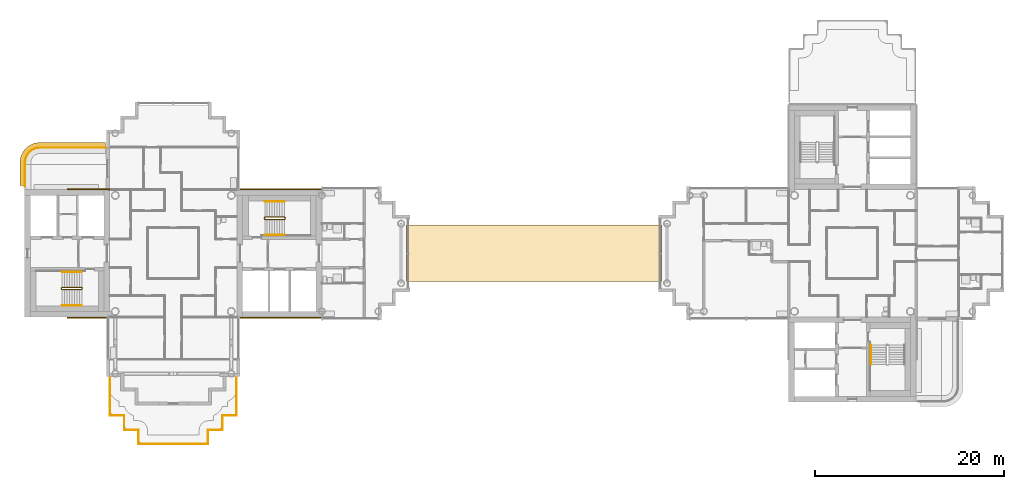
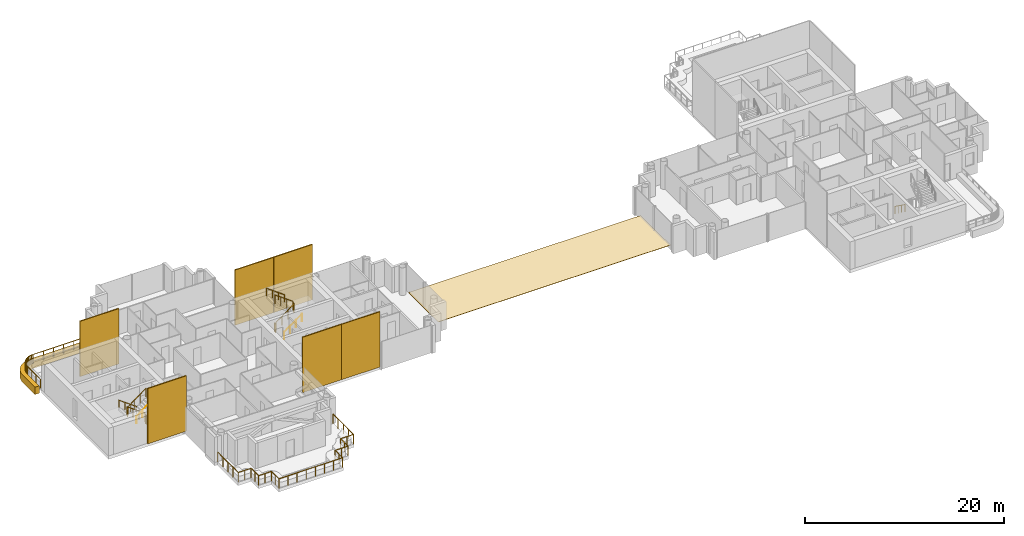
# One storey, part 17 of 19: 9 railings, 8 coverings.
"""IFC4 building model written with IfcOpenShell, lengths in metres."""

from ifc_helpers import new_model, si_unit, direction, frame, origin, origin_2d, place, context, subcontext, project, spatial, polyline, rectangle, circle, outline, extrude, material, layer, layer_set, type_object, element, save


model = new_model("IFC4")

# Units and contexts
model_context = context("Model", 3, precision=1e-05, world=origin(), true_north=direction((0.0, 1.0)))
body_context = subcontext(model_context, "Body", "Model", "MODEL_VIEW")
ifc_project = project(units=[si_unit("LENGTHUNIT", "METRE"), si_unit("AREAUNIT", "SQUARE_METRE"), si_unit("VOLUMEUNIT", "CUBIC_METRE"), si_unit("PLANEANGLEUNIT", "RADIAN"), si_unit("MASSUNIT", "GRAM", prefix="KILO")], contexts=[model_context])

# Site, building, storey
site_placement = place(None, origin())
site = spatial("IfcSite", under=ifc_project, at=site_placement, CompositionType="ELEMENT")
building_placement = place(site_placement, origin())
building = spatial("IfcBuilding", under=site, at=building_placement, Name="Ipe Terrace Towers", CompositionType="ELEMENT")
storey_placement = place(building_placement, frame((0.0, 0.0, 185.800048828125)))
storey = spatial("IfcBuildingStorey", under=building, at=storey_placement, Name="L51", CompositionType="ELEMENT", Elevation=185.800048828125)

# Railings
ifc_material_1 = material(Name="Stainless steel S316", Category="steel")
railing_type_1 = type_object("IfcRailingType", Name="GUARD 1100", PredefinedType="BALUSTRADE", material=ifc_material_1)
railing_1_placement = place(storey_placement, frame((-43.070068359375, 11.199951171875, -0.02001953125)))
element("IfcRailing", 1, at=railing_1_placement, inside=storey, type_object=railing_type_1, Name="guard", PredefinedType="BALUSTRADE", context=body_context, shape_type="SweptSolid", body=[
    extrude(circle(Radius=0.02392578125, at=origin_2d()), frame((0.0, 0.0, 1.076171875), z_axis=(-1.0, 0.0, 0.0), x_axis=(0.0, -1.0, 0.0)), (0.0, 0.0, 1.0), 7.077880859375),
    extrude(circle(Radius=0.02392578125, at=origin_2d()), frame((-7.077880859375, 0.0, 1.076171875), z_axis=(-0.997996439513, -0.063270109204, 0.0), x_axis=(0.063270109204, -0.997996439513, 0.0)), (0.0, 0.0, 1.0), 0.20458984375),
    extrude(circle(Radius=0.02392578125, at=origin_2d()), frame((-7.281982421875, -0.012939453125, 1.076171875), z_axis=(-0.980348670139, -0.197272615832, 0.0), x_axis=(0.197272615832, -0.980348670139, 0.0)), (0.0, 0.0, 1.0), 0.202880859375),
    extrude(circle(Radius=0.02392578125, at=origin_2d()), frame((-7.48095703125, -0.052978515625, 1.076171875), z_axis=(-0.947227229435, -0.320562904618, 0.0), x_axis=(0.320562904618, -0.947227229435, 0.0)), (0.0, 0.0, 1.0), 0.20263671875),
    extrude(circle(Radius=0.02392578125, at=origin_2d()), frame((-7.6728515625, -0.117919921875, 1.076171875), z_axis=(-0.896341374877, -0.443364567466, 0.0), x_axis=(0.443364567466, -0.896341374877, 0.0)), (0.0, 0.0, 1.0), 0.203125),
    extrude(circle(Radius=0.02392578125, at=origin_2d()), frame((-7.85498046875, -0.2080078125, 1.076171875), z_axis=(-0.833344910936, -0.552753344103, 0.0), x_axis=(0.552753344103, -0.833344910936, 0.0)), (0.0, 0.0, 1.0), 0.20263671875),
    extrude(circle(Radius=0.02392578125, at=origin_2d()), frame((-8.02392578125, -0.320068359375, 1.076171875), z_axis=(-0.750856952854, -0.660464863827, 0.0), x_axis=(0.660464863827, -0.750856952854, 0.0)), (0.0, 0.0, 1.0), 0.20263671875),
    extrude(circle(Radius=0.02392578125, at=origin_2d()), frame((-8.176025390625, -0.453857421875, 1.076171875), z_axis=(-0.660464863827, -0.750856952854, 0.0), x_axis=(0.750856952854, -0.660464863827, 0.0)), (0.0, 0.0, 1.0), 0.20263671875),
    extrude(circle(Radius=0.02392578125, at=origin_2d()), frame((-8.309814453125, -0.60595703125, 1.076171875), z_axis=(-0.552753344103, -0.833344910936, 0.0), x_axis=(0.833344910936, -0.552753344103, 0.0)), (0.0, 0.0, 1.0), 0.20263671875),
    extrude(circle(Radius=0.02392578125, at=origin_2d()), frame((-8.421875, -0.77490234375, 1.076171875), z_axis=(-0.443364567466, -0.896341374877, 0.0), x_axis=(0.896341374877, -0.443364567466, 0.0)), (0.0, 0.0, 1.0), 0.203125),
    extrude(circle(Radius=0.02392578125, at=origin_2d()), frame((-8.511962890625, -0.95703125, 1.076171875), z_axis=(-0.320562904618, -0.947227229435, 0.0), x_axis=(0.947227229435, -0.320562904618, 0.0)), (0.0, 0.0, 1.0), 0.20263671875),
    extrude(circle(Radius=0.02392578125, at=origin_2d()), frame((-8.576904296875, -1.14892578125, 1.076171875), z_axis=(-0.197272615832, -0.980348670139, 0.0), x_axis=(0.980348670139, -0.197272615832, 0.0)), (0.0, 0.0, 1.0), 0.202880859375),
    extrude(circle(Radius=0.02392578125, at=origin_2d()), frame((-8.616943359375, -1.347900390625, 1.076171875), z_axis=(-0.063270109204, -0.997996439513, 0.0), x_axis=(0.997996439513, -0.063270109204, 0.0)), (0.0, 0.0, 1.0), 0.20458984375),
    extrude(circle(Radius=0.02392578125, at=origin_2d()), frame((-8.6298828125, -1.552001953125, 1.076171875), z_axis=(0.0, -1.0, 0.0), x_axis=(1.0, 0.0, 0.0)), (0.0, 0.0, 1.0), 2.577880859375),
    extrude(circle(Radius=0.02099609375, at=origin_2d()), origin(), (0.0, 0.0, 1.0), 1.052001953125),
    extrude(circle(Radius=0.02099609375, at=origin_2d()), frame((-1.1796875, 0.0, 0.0)), (0.0, 0.0, 1.0), 1.052001953125),
    extrude(circle(Radius=0.02099609375, at=origin_2d()), frame((-2.359375, 0.0, 0.0)), (0.0, 0.0, 1.0), 1.052001953125),
    extrude(circle(Radius=0.02099609375, at=origin_2d()), frame((-3.5390625, 0.0, 0.0)), (0.0, 0.0, 1.0), 1.052001953125),
    extrude(circle(Radius=0.02099609375, at=origin_2d()), frame((-4.718505859375, 0.0, 0.0)), (0.0, 0.0, 1.0), 1.052001953125),
    extrude(circle(Radius=0.02099609375, at=origin_2d()), frame((-5.898193359375, 0.0, 0.0)), (0.0, 0.0, 1.0), 1.052001953125),
    extrude(circle(Radius=0.02099609375, at=origin_2d()), frame((-7.077880859375, 0.0, 0.0)), (0.0, 0.0, 1.0), 1.052001953125),
    extrude(circle(Radius=0.02099609375, at=origin_2d()), frame((-7.281982421875, -0.012939453125, 0.0)), (0.0, 0.0, 1.0), 1.052001953125),
    extrude(circle(Radius=0.02099609375, at=origin_2d()), frame((-7.48095703125, -0.052978515625, 0.0)), (0.0, 0.0, 1.0), 1.052001953125),
    extrude(circle(Radius=0.02099609375, at=origin_2d()), frame((-7.6728515625, -0.117919921875, 0.0)), (0.0, 0.0, 1.0), 1.052001953125),
    extrude(circle(Radius=0.02099609375, at=origin_2d()), frame((-7.85498046875, -0.2080078125, 0.0)), (0.0, 0.0, 1.0), 1.052001953125),
    extrude(circle(Radius=0.02099609375, at=origin_2d()), frame((-8.02392578125, -0.320068359375, 0.0)), (0.0, 0.0, 1.0), 1.052001953125),
    extrude(circle(Radius=0.02099609375, at=origin_2d()), frame((-8.176025390625, -0.453857421875, 0.0)), (0.0, 0.0, 1.0), 1.052001953125),
    extrude(circle(Radius=0.02099609375, at=origin_2d()), frame((-8.309814453125, -0.60595703125, 0.0)), (0.0, 0.0, 1.0), 1.052001953125),
    extrude(circle(Radius=0.02099609375, at=origin_2d()), frame((-8.421875, -0.77490234375, 0.0)), (0.0, 0.0, 1.0), 1.052001953125),
    extrude(circle(Radius=0.02099609375, at=origin_2d()), frame((-8.511962890625, -0.95703125, 0.0)), (0.0, 0.0, 1.0), 1.052001953125),
    extrude(circle(Radius=0.02099609375, at=origin_2d()), frame((-8.576904296875, -1.14892578125, 0.0)), (0.0, 0.0, 1.0), 1.052001953125),
    extrude(circle(Radius=0.02099609375, at=origin_2d()), frame((-8.616943359375, -1.347900390625, 0.0)), (0.0, 0.0, 1.0), 1.052001953125),
    extrude(circle(Radius=0.02099609375, at=origin_2d()), frame((-8.6298828125, -1.552001953125, 0.0)), (0.0, 0.0, 1.0), 1.052001953125),
    extrude(circle(Radius=0.02099609375, at=origin_2d()), frame((-8.6298828125, -2.411376953125, 0.0)), (0.0, 0.0, 1.0), 1.052001953125),
    extrude(circle(Radius=0.02099609375, at=origin_2d()), frame((-8.6298828125, -3.2705078125, 0.0)), (0.0, 0.0, 1.0), 1.052001953125),
    extrude(circle(Radius=0.02099609375, at=origin_2d()), frame((-8.6298828125, -4.1298828125, 0.0)), (0.0, 0.0, 1.0), 1.052001953125),
])
ifc_material_2 = material(Name="Stainless steel S316", Category="steel")
railing_type_2 = type_object("IfcRailingType", Name="ROOF GUARD 1200", PredefinedType="BALUSTRADE", material=ifc_material_2)
railing_2_placement = place(storey_placement, frame((-42.699951171875, -13.070068359375, -0.02001953125)))
element("IfcRailing", 2, at=railing_2_placement, inside=storey, type_object=railing_type_2, Name="roof guard", PredefinedType="BALUSTRADE", context=body_context, shape_type="SweptSolid", body=[
    extrude(circle(Radius=0.02392578125, at=origin_2d()), frame((0.0, 0.0, 1.17578125), z_axis=(0.0, -1.0, 0.0), x_axis=(1.0, 0.0, 0.0)), (0.0, 0.0, 1.0), 4.1298828125),
    extrude(circle(Radius=0.02392578125, at=origin_2d()), frame((0.0, -4.1298828125, 1.17578125), z_axis=(1.0, 0.0, 0.0), x_axis=(0.0, 1.0, 0.0)), (0.0, 0.0, 1.0), 1.5),
    extrude(circle(Radius=0.02392578125, at=origin_2d()), frame((1.5, -4.1298828125, 1.17578125), z_axis=(0.0, -1.0, 0.0), x_axis=(1.0, 0.0, 0.0)), (0.0, 0.0, 1.0), 1.5),
    extrude(circle(Radius=0.02392578125, at=origin_2d()), frame((1.5, -5.6298828125, 1.17578125), z_axis=(1.0, 0.0, 0.0), x_axis=(0.0, 1.0, 0.0)), (0.0, 0.0, 1.0), 1.5),
    extrude(circle(Radius=0.02392578125, at=origin_2d()), frame((3.0, -5.6298828125, 1.17578125), z_axis=(0.0, -1.0, 0.0), x_axis=(1.0, 0.0, 0.0)), (0.0, 0.0, 1.0), 1.5),
    extrude(circle(Radius=0.02392578125, at=origin_2d()), frame((3.0, -7.1298828125, 1.17578125), z_axis=(1.0, 0.0, 0.0), x_axis=(0.0, 1.0, 0.0)), (0.0, 0.0, 1.0), 7.39990234375),
    extrude(circle(Radius=0.02392578125, at=origin_2d()), frame((10.39990234375, -7.1298828125, 1.17578125), z_axis=(0.0, 1.0, 0.0), x_axis=(-1.0, 0.0, 0.0)), (0.0, 0.0, 1.0), 1.5),
    extrude(circle(Radius=0.02392578125, at=origin_2d()), frame((10.39990234375, -5.6298828125, 1.17578125), z_axis=(1.0, 0.0, 0.0), x_axis=(0.0, 1.0, 0.0)), (0.0, 0.0, 1.0), 1.5),
    extrude(circle(Radius=0.02392578125, at=origin_2d()), frame((11.89990234375, -5.6298828125, 1.17578125), z_axis=(0.0, 1.0, 0.0), x_axis=(-1.0, 0.0, 0.0)), (0.0, 0.0, 1.0), 1.5),
    extrude(circle(Radius=0.02392578125, at=origin_2d()), frame((11.89990234375, -4.1298828125, 1.17578125), z_axis=(1.0, 0.0, 0.0), x_axis=(0.0, 1.0, 0.0)), (0.0, 0.0, 1.0), 1.5),
    extrude(circle(Radius=0.02392578125, at=origin_2d()), frame((13.39990234375, -4.1298828125, 1.17578125), z_axis=(0.0, 1.0, 0.0), x_axis=(-1.0, 0.0, 0.0)), (0.0, 0.0, 1.0), 4.1298828125),
    extrude(circle(Radius=0.02099609375, at=origin_2d()), origin(), (0.0, 0.0, 1.0), 1.15185546875),
    extrude(circle(Radius=0.02099609375, at=origin_2d()), frame((0.0, -1.032470703125, 0.0)), (0.0, 0.0, 1.0), 1.15185546875),
    extrude(circle(Radius=0.02099609375, at=origin_2d()), frame((0.0, -2.06494140625, 0.0)), (0.0, 0.0, 1.0), 1.15185546875),
    extrude(circle(Radius=0.02099609375, at=origin_2d()), frame((0.0, -3.097412109375, 0.0)), (0.0, 0.0, 1.0), 1.15185546875),
    extrude(circle(Radius=0.02099609375, at=origin_2d()), frame((0.0, -4.1298828125, 0.0)), (0.0, 0.0, 1.0), 1.15185546875),
    extrude(circle(Radius=0.02099609375, at=origin_2d()), frame((0.75, -4.1298828125, 0.0)), (0.0, 0.0, 1.0), 1.15185546875),
    extrude(circle(Radius=0.02099609375, at=origin_2d()), frame((1.5, -4.1298828125, 0.0)), (0.0, 0.0, 1.0), 1.15185546875),
    extrude(circle(Radius=0.02099609375, at=origin_2d()), frame((1.5, -4.8798828125, 0.0)), (0.0, 0.0, 1.0), 1.15185546875),
    extrude(circle(Radius=0.02099609375, at=origin_2d()), frame((1.5, -5.6298828125, 0.0)), (0.0, 0.0, 1.0), 1.15185546875),
    extrude(circle(Radius=0.02099609375, at=origin_2d()), frame((2.25, -5.6298828125, 0.0)), (0.0, 0.0, 1.0), 1.15185546875),
    extrude(circle(Radius=0.02099609375, at=origin_2d()), frame((3.0, -5.6298828125, 0.0)), (0.0, 0.0, 1.0), 1.15185546875),
    extrude(circle(Radius=0.02099609375, at=origin_2d()), frame((3.0, -6.3798828125, 0.0)), (0.0, 0.0, 1.0), 1.15185546875),
    extrude(circle(Radius=0.02099609375, at=origin_2d()), frame((3.0, -7.1298828125, 0.0)), (0.0, 0.0, 1.0), 1.15185546875),
    extrude(circle(Radius=0.02099609375, at=origin_2d()), frame((4.05712890625, -7.1298828125, 0.0)), (0.0, 0.0, 1.0), 1.15185546875),
    extrude(circle(Radius=0.02099609375, at=origin_2d()), frame((5.1142578125, -7.1298828125, 0.0)), (0.0, 0.0, 1.0), 1.15185546875),
    extrude(circle(Radius=0.02099609375, at=origin_2d()), frame((6.17138671875, -7.1298828125, 0.0)), (0.0, 0.0, 1.0), 1.15185546875),
    extrude(circle(Radius=0.02099609375, at=origin_2d()), frame((7.228515625, -7.1298828125, 0.0)), (0.0, 0.0, 1.0), 1.15185546875),
    extrude(circle(Radius=0.02099609375, at=origin_2d()), frame((8.28564453125, -7.1298828125, 0.0)), (0.0, 0.0, 1.0), 1.15185546875),
    extrude(circle(Radius=0.02099609375, at=origin_2d()), frame((9.3427734375, -7.1298828125, 0.0)), (0.0, 0.0, 1.0), 1.15185546875),
    extrude(circle(Radius=0.02099609375, at=origin_2d()), frame((10.39990234375, -7.1298828125, 0.0)), (0.0, 0.0, 1.0), 1.15185546875),
    extrude(circle(Radius=0.02099609375, at=origin_2d()), frame((10.39990234375, -6.3798828125, 0.0)), (0.0, 0.0, 1.0), 1.15185546875),
    extrude(circle(Radius=0.02099609375, at=origin_2d()), frame((10.39990234375, -5.6298828125, 0.0)), (0.0, 0.0, 1.0), 1.15185546875),
    extrude(circle(Radius=0.02099609375, at=origin_2d()), frame((11.14990234375, -5.6298828125, 0.0)), (0.0, 0.0, 1.0), 1.15185546875),
    extrude(circle(Radius=0.02099609375, at=origin_2d()), frame((11.89990234375, -5.6298828125, 0.0)), (0.0, 0.0, 1.0), 1.15185546875),
    extrude(circle(Radius=0.02099609375, at=origin_2d()), frame((11.89990234375, -4.8798828125, 0.0)), (0.0, 0.0, 1.0), 1.15185546875),
    extrude(circle(Radius=0.02099609375, at=origin_2d()), frame((11.89990234375, -4.1298828125, 0.0)), (0.0, 0.0, 1.0), 1.15185546875),
    extrude(circle(Radius=0.02099609375, at=origin_2d()), frame((12.64990234375, -4.1298828125, 0.0)), (0.0, 0.0, 1.0), 1.15185546875),
    extrude(circle(Radius=0.02099609375, at=origin_2d()), frame((13.39990234375, -4.1298828125, 0.0)), (0.0, 0.0, 1.0), 1.15185546875),
    extrude(circle(Radius=0.02099609375, at=origin_2d()), frame((13.39990234375, -3.097412109375, 0.0)), (0.0, 0.0, 1.0), 1.15185546875),
    extrude(circle(Radius=0.02099609375, at=origin_2d()), frame((13.39990234375, -2.06494140625, 0.0)), (0.0, 0.0, 1.0), 1.15185546875),
    extrude(circle(Radius=0.02099609375, at=origin_2d()), frame((13.39990234375, -1.032470703125, 0.0)), (0.0, 0.0, 1.0), 1.15185546875),
    extrude(circle(Radius=0.02099609375, at=origin_2d()), frame((13.39990234375, 0.0, 0.0)), (0.0, 0.0, 1.0), 1.15185546875),
])

# Coverings
ifc_material_3 = material(Name="Bitumen membrane roofing")
ifc_layer_1 = layer(ifc_material_3, 0.0400390625)
ifc_layer_set_1 = layer_set([ifc_layer_1], Name="ROOFING MEMBRANE 40")
covering_type_1 = type_object("IfcCoveringType", Name="ROOFING MEMBRANE 40", PredefinedType="ROOFING", material=ifc_layer_set_1)
covering_1_placement = place(storey_placement, origin())
element("IfcCovering", 3, at=covering_1_placement, inside=storey, type_object=covering_type_1, Name="BR3 roofing", PredefinedType="ROOFING", context=body_context, shape_type="SweptSolid", body=[
    extrude(outline(polyline([(-11.25, -3.0), (15.75, -3.0), (15.75, 3.0), (-11.25, 3.0), (-11.25, -3.0)])), origin(), (0.0, 0.0, 1.0), 0.0400390625),
])
ifc_material_4 = material(Name="Concrete C50/60 precast, buff finish", Category="concrete")
ifc_layer_2 = layer(ifc_material_4, 0.1201171875)
ifc_layer_set_2 = layer_set([ifc_layer_2], Name="STONE CORE CLADDING 120")
covering_type_2 = type_object("IfcCoveringType", Name="STONE CORE CLADDING 120", PredefinedType="CLADDING", material=ifc_layer_set_2)
for number, where, z_axis, x_axis, name in (
    (4, (-45.0, -6.81005859375, 0.0), (0.0, 0.0, 1.0), (1.0, 0.0, 0.0), "stone core cladding"),
    (5, (-45.0, 6.81005859375, 0.0), (0.0, 0.0, 1.0), (-1.0, 0.0, 0.0), "stone core cladding"),
    (6, (-27.0, -6.81005859375, 0.0), (0.0, 0.0, 1.0), (1.0, 0.0, 0.0), "stone core cladding"),
):
    element("IfcCovering", number, at=place(storey_placement, frame(where, z_axis=z_axis, x_axis=x_axis)), inside=storey, type_object=covering_type_2, Name=name, PredefinedType="CLADDING", context=body_context, shape_type="SweptSolid", body=[
        extrude(rectangle(XDim=4.5, YDim=0.1201171875, at=origin_2d()), origin(), (0.0, 0.0, 1.0), 6.800048828125),
    ])
covering_2_placement = place(storey_placement, frame((-22.4990234375, -6.81005859375, 0.0), z_axis=(0.0, 0.0, 1.0), x_axis=(1.0, 0.0, 0.0)))
element("IfcCovering", 7, at=covering_2_placement, inside=storey, type_object=covering_type_2, Name="stone core cladding", PredefinedType="CLADDING", context=body_context, shape_type="SweptSolid", body=[
    extrude(rectangle(XDim=4.5009765625, YDim=0.1201171875, at=origin_2d()), origin(), (0.0, 0.0, 1.0), 6.800048828125),
])
covering_3_placement = place(storey_placement, frame((-27.0, 6.81005859375, 0.0), z_axis=(0.0, 0.0, 1.0), x_axis=(-1.0, 0.0, 0.0)))
element("IfcCovering", 8, at=covering_3_placement, inside=storey, type_object=covering_type_2, Name="stone core cladding", PredefinedType="CLADDING", context=body_context, shape_type="SweptSolid", body=[
    extrude(rectangle(XDim=4.5, YDim=0.1201171875, at=origin_2d()), origin(), (0.0, 0.0, 1.0), 6.800048828125),
])
covering_4_placement = place(storey_placement, frame((-22.4990234375, 6.81005859375, 0.0), z_axis=(0.0, 0.0, 1.0), x_axis=(-1.0, 0.0, 0.0)))
element("IfcCovering", 9, at=covering_4_placement, inside=storey, type_object=covering_type_2, Name="stone core cladding", PredefinedType="CLADDING", context=body_context, shape_type="SweptSolid", body=[
    extrude(rectangle(XDim=4.5009765625, YDim=0.1201171875, at=origin_2d()), origin(), (0.0, 0.0, 1.0), 6.800048828125),
])
ifc_material_5 = material(Name="Concrete C50/60 precast, buff finish", Category="concrete")
ifc_layer_3 = layer(ifc_material_5, 0.5)
ifc_layer_set_3 = layer_set([ifc_layer_3], Name="STONE EDGE BAND 500 x 900")
covering_type_3 = type_object("IfcCoveringType", Name="STONE EDGE BAND 500 x 900", PredefinedType="CLADDING", material=ifc_layer_set_3)
covering_5_placement = place(storey_placement, frame((0.0, 0.0, -0.719970703125)))
element("IfcCovering", 10, at=covering_5_placement, inside=storey, type_object=covering_type_3, Name="stone edge band", PredefinedType="CLADDING", context=body_context, shape_type="SweptSolid", body=[
    extrude(outline(polyline([(-50.14990234375, 11.75), (-50.18310546875, 11.7490234375), (-50.39208984375, 11.735107421875), (-50.4560546875, 11.72705078125), (-50.662109375, 11.68603515625), (-50.72509765625, 11.6689453125), (-50.923095703125, 11.60205078125), (-50.98291015625, 11.576904296875), (-51.1708984375, 11.48388671875), (-51.22802734375, 11.450927734375), (-51.402099609375, 11.3349609375), (-51.4541015625, 11.294921875), (-51.611083984375, 11.156982421875), (-51.656982421875, 11.111083984375), (-51.794921875, 10.9541015625), (-51.8349609375, 10.902099609375), (-51.950927734375, 10.72802734375), (-51.98388671875, 10.6708984375), (-52.076904296875, 10.48291015625), (-52.10205078125, 10.423095703125), (-52.1689453125, 10.22509765625), (-52.18603515625, 10.162109375), (-52.22705078125, 9.9560546875), (-52.235107421875, 9.89208984375), (-52.2490234375, 9.68310546875), (-52.25, 9.64990234375), (-52.25, 7.199951171875), (-51.75, 7.199951171875), (-51.75, 9.64990234375), (-51.736083984375, 9.85888671875), (-51.695068359375, 10.06396484375), (-51.6279296875, 10.261962890625), (-51.535888671875, 10.449951171875), (-51.4189453125, 10.6240234375), (-51.281005859375, 10.781005859375), (-51.1240234375, 10.9189453125), (-50.949951171875, 11.035888671875), (-50.761962890625, 11.1279296875), (-50.56396484375, 11.195068359375), (-50.35888671875, 11.236083984375), (-50.14990234375, 11.25), (-43.199951171875, 11.25), (-43.199951171875, 11.75), (-50.14990234375, 11.75)])), origin(), (0.0, 0.0, 1.0), 0.89990234375),
])

# Railings
ifc_material_6 = material(Name="Steel S355", Category="steel")
railing_type_3 = type_object("IfcRailingType", Name="Stair guard 1100", PredefinedType="GUARDRAIL", material=ifc_material_6)
railing_3_placement = place(storey_placement, frame((-26.35009765625, 3.800048828125, 0.0)))
element("IfcRailing", 11, at=railing_3_placement, inside=storey, type_object=railing_type_3, Name="L51 T1-ST1 stair guard 1", PredefinedType="GUARDRAIL", context=body_context, shape_type="SweptSolid", body=[
    extrude(circle(Radius=0.02392578125, at=origin_2d()), frame((0.0, 0.0, 1.076171875), z_axis=(0.0, -1.0, 0.0), x_axis=(1.0, 0.0, 0.0)), (0.0, 0.0, 1.0), 0.150146484375),
    extrude(circle(Radius=0.02392578125, at=origin_2d()), frame((0.0, -0.150146484375, 1.076171875), z_axis=(0.248385422981, -0.247173786771, 0.936594790069), x_axis=(0.705375805398, 0.708833529934, 0.0)), (0.0, 0.0, 1.0), 0.201416015625),
    extrude(circle(Radius=0.02392578125, at=origin_2d()), frame((0.050048828125, -0.199951171875, 1.2646484375), z_axis=(0.809023421508, 0.0, 0.587776406001), x_axis=(0.0, 1.0, 0.0)), (0.0, 0.0, 1.0), 2.571044921875),
    extrude(circle(Radius=0.02392578125, at=origin_2d()), frame((2.130126953125, -0.199951171875, 2.77587890625), z_axis=(0.708833529934, 0.705375805398, 0.0), x_axis=(-0.705375805398, 0.708833529934, 0.0)), (0.0, 0.0, 1.0), 0.070556640625),
    extrude(circle(Radius=0.02392578125, at=origin_2d()), frame((2.18017578125, -0.150146484375, 2.77587890625), z_axis=(0.0, 1.0, 0.0), x_axis=(-1.0, 0.0, 0.0)), (0.0, 0.0, 1.0), 0.150146484375),
    extrude(circle(Radius=0.02392578125, at=origin_2d()), frame((2.18017578125, 0.0, 2.77587890625), z_axis=(-0.248029566107, 0.248029566107, 0.936462849596), x_axis=(-0.707106781187, -0.707106781187, 0.0)), (0.0, 0.0, 1.0), 0.201904296875),
    extrude(circle(Radius=0.02392578125, at=origin_2d()), frame((2.130126953125, 0.050048828125, 2.96484375), z_axis=(-0.809068575486, 0.0, 0.587714250432), x_axis=(0.0, -1.0, 0.0)), (0.0, 0.0, 1.0), 2.571044921875),
    extrude(circle(Radius=0.02099609375, at=origin_2d()), origin(), (0.0, 0.0, 1.0), 1.052001953125),
    extrude(circle(Radius=0.02099609375, at=origin_2d()), frame((0.0, -0.150146484375, 0.0)), (0.0, 0.0, 1.0), 1.052001953125),
    extrude(circle(Radius=0.02099609375, at=origin_2d()), frame((0.050048828125, -0.199951171875, 0.188720703125)), (0.0, 0.0, 1.0), 1.052001953125),
    extrude(circle(Radius=0.02099609375, at=origin_2d()), frame((0.743408203125, -0.199951171875, 0.6923828125)), (0.0, 0.0, 1.0), 1.052001953125),
    extrude(circle(Radius=0.02099609375, at=origin_2d()), frame((1.436767578125, -0.199951171875, 1.1962890625)), (0.0, 0.0, 1.0), 1.052001953125),
    extrude(circle(Radius=0.02099609375, at=origin_2d()), frame((2.130126953125, -0.199951171875, 1.699951171875)), (0.0, 0.0, 1.0), 1.052001953125),
    extrude(circle(Radius=0.02099609375, at=origin_2d()), frame((2.18017578125, -0.150146484375, 1.699951171875)), (0.0, 0.0, 1.0), 1.052001953125),
    extrude(circle(Radius=0.02099609375, at=origin_2d()), frame((2.18017578125, 0.0, 1.699951171875)), (0.0, 0.0, 1.0), 1.052001953125),
    extrude(circle(Radius=0.02099609375, at=origin_2d()), frame((2.130126953125, 0.050048828125, 1.888916015625)), (0.0, 0.0, 1.0), 1.052001953125),
    extrude(circle(Radius=0.02099609375, at=origin_2d()), frame((1.436767578125, 0.050048828125, 2.392578125)), (0.0, 0.0, 1.0), 1.052001953125),
    extrude(circle(Radius=0.02099609375, at=origin_2d()), frame((0.743408203125, 0.050048828125, 2.896240234375)), (0.0, 0.0, 1.0), 1.052001953125),
    extrude(circle(Radius=0.02099609375, at=origin_2d()), frame((0.050048828125, 0.050048828125, 3.39990234375)), (0.0, 0.0, 1.0), 1.052001953125),
])
railing_4_placement = place(storey_placement, frame((-45.64990234375, -3.800048828125, 0.0)))
element("IfcRailing", 12, at=railing_4_placement, inside=storey, type_object=railing_type_3, Name="L51 T1-ST2 stair guard 1", PredefinedType="GUARDRAIL", context=body_context, shape_type="SweptSolid", body=[
    extrude(circle(Radius=0.02392578125, at=origin_2d()), frame((0.0, 0.0, 1.076171875), z_axis=(0.0, 1.0, 0.0), x_axis=(-1.0, 0.0, 0.0)), (0.0, 0.0, 1.0), 0.150146484375),
    extrude(circle(Radius=0.02392578125, at=origin_2d()), frame((0.0, 0.150146484375, 1.076171875), z_axis=(-0.248385422981, 0.247173786771, 0.936594790069), x_axis=(-0.705375805398, -0.708833529934, 0.0)), (0.0, 0.0, 1.0), 0.201416015625),
    extrude(circle(Radius=0.02392578125, at=origin_2d()), frame((-0.050048828125, 0.199951171875, 1.2646484375), z_axis=(-0.809023421508, 0.0, 0.587776406001), x_axis=(0.0, -1.0, 0.0)), (0.0, 0.0, 1.0), 2.571044921875),
    extrude(circle(Radius=0.02392578125, at=origin_2d()), frame((-2.130126953125, 0.199951171875, 2.77587890625), z_axis=(-0.708833529934, -0.705375805398, 0.0), x_axis=(0.705375805398, -0.708833529934, 0.0)), (0.0, 0.0, 1.0), 0.070556640625),
    extrude(circle(Radius=0.02392578125, at=origin_2d()), frame((-2.18017578125, 0.150146484375, 2.77587890625), z_axis=(0.0, -1.0, 0.0), x_axis=(1.0, 0.0, 0.0)), (0.0, 0.0, 1.0), 0.150146484375),
    extrude(circle(Radius=0.02392578125, at=origin_2d()), frame((-2.18017578125, 0.0, 2.77587890625), z_axis=(0.248029566107, -0.248029566107, 0.936462849596), x_axis=(0.707106781187, 0.707106781187, 0.0)), (0.0, 0.0, 1.0), 0.201904296875),
    extrude(circle(Radius=0.02392578125, at=origin_2d()), frame((-2.130126953125, -0.050048828125, 2.96484375), z_axis=(0.809068575486, 0.0, 0.587714250432), x_axis=(0.0, 1.0, 0.0)), (0.0, 0.0, 1.0), 2.571044921875),
    extrude(circle(Radius=0.02099609375, at=origin_2d()), origin(), (0.0, 0.0, 1.0), 1.052001953125),
    extrude(circle(Radius=0.02099609375, at=origin_2d()), frame((0.0, 0.150146484375, 0.0)), (0.0, 0.0, 1.0), 1.052001953125),
    extrude(circle(Radius=0.02099609375, at=origin_2d()), frame((-0.050048828125, 0.199951171875, 0.188720703125)), (0.0, 0.0, 1.0), 1.052001953125),
    extrude(circle(Radius=0.02099609375, at=origin_2d()), frame((-0.743408203125, 0.199951171875, 0.6923828125)), (0.0, 0.0, 1.0), 1.052001953125),
    extrude(circle(Radius=0.02099609375, at=origin_2d()), frame((-1.436767578125, 0.199951171875, 1.1962890625)), (0.0, 0.0, 1.0), 1.052001953125),
    extrude(circle(Radius=0.02099609375, at=origin_2d()), frame((-2.130126953125, 0.199951171875, 1.699951171875)), (0.0, 0.0, 1.0), 1.052001953125),
    extrude(circle(Radius=0.02099609375, at=origin_2d()), frame((-2.18017578125, 0.150146484375, 1.699951171875)), (0.0, 0.0, 1.0), 1.052001953125),
    extrude(circle(Radius=0.02099609375, at=origin_2d()), frame((-2.18017578125, 0.0, 1.699951171875)), (0.0, 0.0, 1.0), 1.052001953125),
    extrude(circle(Radius=0.02099609375, at=origin_2d()), frame((-2.130126953125, -0.050048828125, 1.888916015625)), (0.0, 0.0, 1.0), 1.052001953125),
    extrude(circle(Radius=0.02099609375, at=origin_2d()), frame((-1.436767578125, -0.050048828125, 2.392578125)), (0.0, 0.0, 1.0), 1.052001953125),
    extrude(circle(Radius=0.02099609375, at=origin_2d()), frame((-0.743408203125, -0.050048828125, 2.896240234375)), (0.0, 0.0, 1.0), 1.052001953125),
    extrude(circle(Radius=0.02099609375, at=origin_2d()), frame((-0.050048828125, -0.050048828125, 3.39990234375)), (0.0, 0.0, 1.0), 1.052001953125),
])
ifc_material_7 = material(Name="Stainless steel grade 304", Category="steel")
railing_type_4 = type_object("IfcRailingType", Name="Stair handrail 900", PredefinedType="HANDRAIL", material=ifc_material_7)
railing_5_placement = place(storey_placement, frame((-26.300048828125, 1.949951171875, 0.188720703125)))
element("IfcRailing", 13, at=railing_5_placement, inside=storey, type_object=railing_type_4, Name="L51 T1-ST1 stair handrail 1", PredefinedType="HANDRAIL", context=body_context, shape_type="SweptSolid", body=[
    extrude(circle(Radius=0.02392578125, at=origin_2d()), frame((0.0, 0.0, 0.8759765625), z_axis=(0.809023421508, 0.0, 0.587776406001), x_axis=(0.0, 1.0, 0.0)), (0.0, 0.0, 1.0), 2.571044921875),
    extrude(circle(Radius=0.02099609375, at=origin_2d()), origin(), (0.0, 0.0, 1.0), 0.851806640625),
    extrude(circle(Radius=0.02099609375, at=origin_2d()), frame((0.693359375, 0.0, 0.503662109375)), (0.0, 0.0, 1.0), 0.851806640625),
    extrude(circle(Radius=0.02099609375, at=origin_2d()), frame((1.38671875, 0.0, 1.007568359375)), (0.0, 0.0, 1.0), 0.851806640625),
    extrude(circle(Radius=0.02099609375, at=origin_2d()), frame((2.080078125, 0.0, 1.51123046875)), (0.0, 0.0, 1.0), 0.851806640625),
])
railing_6_placement = place(storey_placement, frame((-24.219970703125, 5.5, 1.888916015625)))
element("IfcRailing", 14, at=railing_6_placement, inside=storey, type_object=railing_type_4, Name="L51 T1-ST1 stair handrail 2", PredefinedType="HANDRAIL", context=body_context, shape_type="SweptSolid", body=[
    extrude(circle(Radius=0.02392578125, at=origin_2d()), frame((0.0, 0.0, 0.8759765625), z_axis=(-0.809068575486, 0.0, 0.587714250432), x_axis=(0.0, -1.0, 0.0)), (0.0, 0.0, 1.0), 2.571044921875),
    extrude(circle(Radius=0.02099609375, at=origin_2d()), origin(), (0.0, 0.0, 1.0), 0.851806640625),
    extrude(circle(Radius=0.02099609375, at=origin_2d()), frame((-0.693359375, 0.0, 0.503662109375)), (0.0, 0.0, 1.0), 0.851806640625),
    extrude(circle(Radius=0.02099609375, at=origin_2d()), frame((-1.38671875, 0.0, 1.00732421875)), (0.0, 0.0, 1.0), 0.851806640625),
    extrude(circle(Radius=0.02099609375, at=origin_2d()), frame((-2.080078125, 0.0, 1.510986328125)), (0.0, 0.0, 1.0), 0.851806640625),
])
railing_7_placement = place(storey_placement, frame((-45.699951171875, -1.949951171875, 0.188720703125)))
element("IfcRailing", 15, at=railing_7_placement, inside=storey, type_object=railing_type_4, Name="L51 T1-ST2 stair handrail 1", PredefinedType="HANDRAIL", context=body_context, shape_type="SweptSolid", body=[
    extrude(circle(Radius=0.02392578125, at=origin_2d()), frame((0.0, 0.0, 0.8759765625), z_axis=(-0.809023421508, 0.0, 0.587776406001), x_axis=(0.0, -1.0, 0.0)), (0.0, 0.0, 1.0), 2.571044921875),
    extrude(circle(Radius=0.02099609375, at=origin_2d()), origin(), (0.0, 0.0, 1.0), 0.851806640625),
    extrude(circle(Radius=0.02099609375, at=origin_2d()), frame((-0.693359375, 0.0, 0.503662109375)), (0.0, 0.0, 1.0), 0.851806640625),
    extrude(circle(Radius=0.02099609375, at=origin_2d()), frame((-1.38671875, 0.0, 1.007568359375)), (0.0, 0.0, 1.0), 0.851806640625),
    extrude(circle(Radius=0.02099609375, at=origin_2d()), frame((-2.080078125, 0.0, 1.51123046875)), (0.0, 0.0, 1.0), 0.851806640625),
])
railing_8_placement = place(storey_placement, frame((-47.780029296875, -5.5, 1.888916015625)))
element("IfcRailing", 16, at=railing_8_placement, inside=storey, type_object=railing_type_4, Name="L51 T1-ST2 stair handrail 2", PredefinedType="HANDRAIL", context=body_context, shape_type="SweptSolid", body=[
    extrude(circle(Radius=0.02392578125, at=origin_2d()), frame((0.0, 0.0, 0.8759765625), z_axis=(0.809068575486, 0.0, 0.587714250432), x_axis=(0.0, 1.0, 0.0)), (0.0, 0.0, 1.0), 2.571044921875),
    extrude(circle(Radius=0.02099609375, at=origin_2d()), origin(), (0.0, 0.0, 1.0), 0.851806640625),
    extrude(circle(Radius=0.02099609375, at=origin_2d()), frame((0.693359375, 0.0, 0.503662109375)), (0.0, 0.0, 1.0), 0.851806640625),
    extrude(circle(Radius=0.02099609375, at=origin_2d()), frame((1.38671875, 0.0, 1.00732421875)), (0.0, 0.0, 1.0), 0.851806640625),
    extrude(circle(Radius=0.02099609375, at=origin_2d()), frame((2.080078125, 0.0, 1.510986328125)), (0.0, 0.0, 1.0), 0.851806640625),
])
railing_9_placement = place(storey_placement, frame((37.949951171875, -9.699951171875, 0.188720703125)))
element("IfcRailing", 17, at=railing_9_placement, inside=storey, type_object=railing_type_4, Name="L51 T2-ST2 stair handrail 1", PredefinedType="HANDRAIL", context=body_context, shape_type="SweptSolid", body=[
    extrude(circle(Radius=0.02392578125, at=origin_2d()), frame((0.0, 0.0, 0.8759765625), z_axis=(0.0, -0.809023421508, 0.587776406001), x_axis=(1.0, 0.0, 0.0)), (0.0, 0.0, 1.0), 2.571044921875),
    extrude(circle(Radius=0.02099609375, at=origin_2d()), origin(), (0.0, 0.0, 1.0), 0.851806640625),
    extrude(circle(Radius=0.02099609375, at=origin_2d()), frame((0.0, -0.693359375, 0.503662109375)), (0.0, 0.0, 1.0), 0.851806640625),
    extrude(circle(Radius=0.02099609375, at=origin_2d()), frame((0.0, -1.38671875, 1.007568359375)), (0.0, 0.0, 1.0), 0.851806640625),
    extrude(circle(Radius=0.02099609375, at=origin_2d()), frame((0.0, -2.080078125, 1.51123046875)), (0.0, 0.0, 1.0), 0.851806640625),
])

save(model, "model.ifc")
